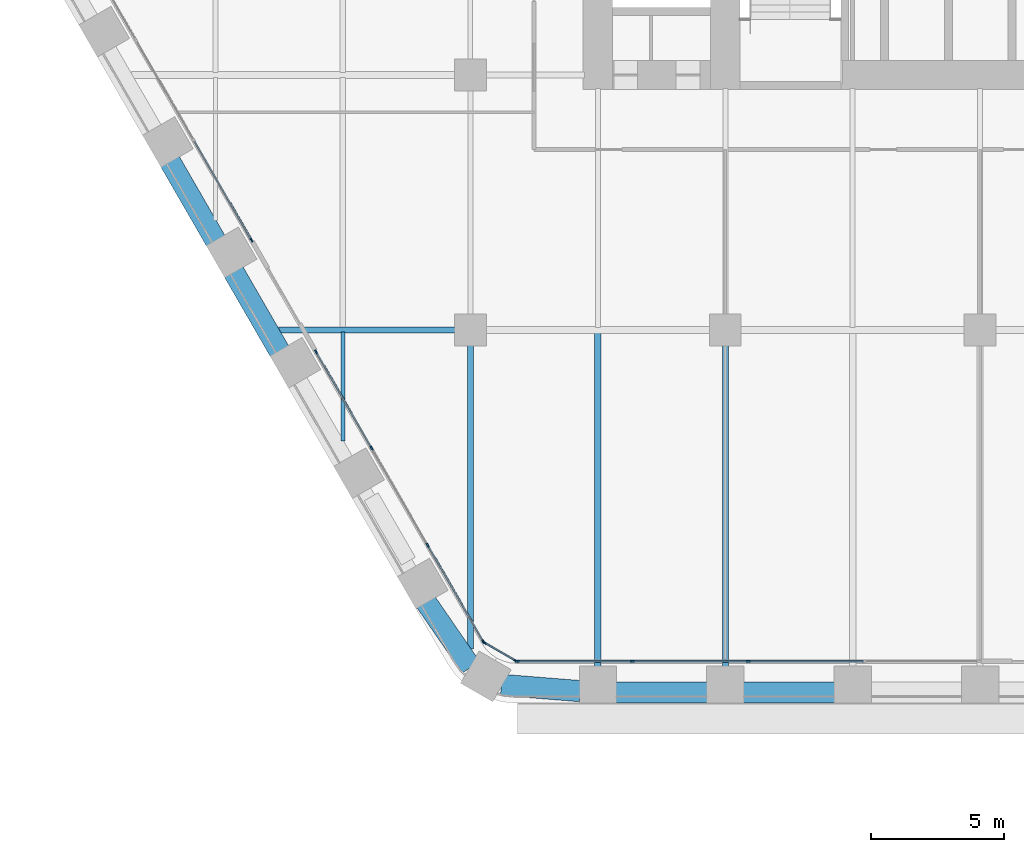
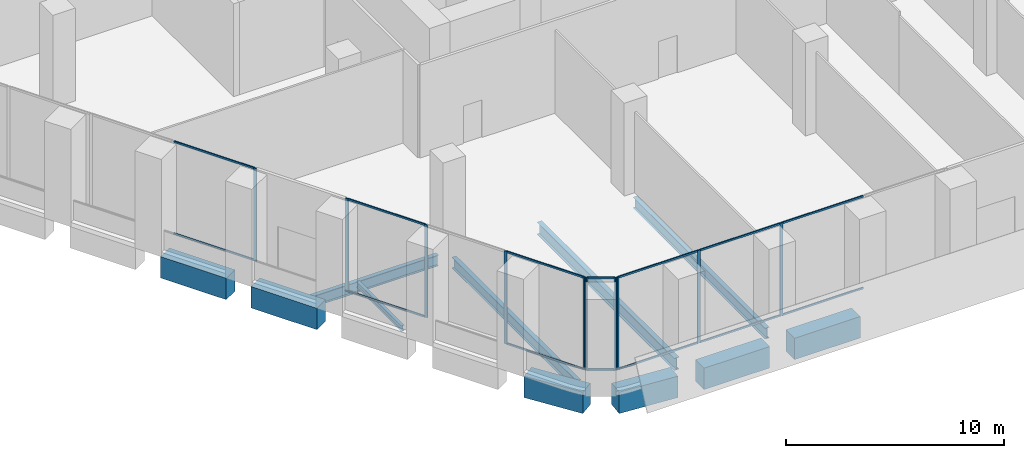
# One storey, part 2 of 32: 24 members, 11 beams, 4 elements without a shape of their own.
"""IFC4 building model written with IfcOpenShell, lengths in metres."""

from ifc_helpers import new_model, si_unit, direction, frame, origin, origin_2d, place, context, subcontext, project, spatial, rectangle, i_section, extrude, material, material_profile, profile_set, type_object, element, aggregate, save


model = new_model("IFC4")

# Units and contexts
model_context = context("Model", 3, precision=1e-05, world=origin(), true_north=direction((0.0, 1.0)))
body_context = subcontext(model_context, "Body", "Model", "MODEL_VIEW")
ifc_project = project(units=[si_unit("LENGTHUNIT", "METRE"), si_unit("AREAUNIT", "SQUARE_METRE"), si_unit("VOLUMEUNIT", "CUBIC_METRE"), si_unit("PLANEANGLEUNIT", "RADIAN"), si_unit("MASSUNIT", "GRAM", prefix="KILO")], contexts=[model_context])

# Site, building, storey
site_placement = place(None, origin())
site = spatial("IfcSite", under=ifc_project, at=site_placement, CompositionType="ELEMENT")
building_placement = place(site_placement, origin())
building = spatial("IfcBuilding", under=site, at=building_placement, Name="Kolab Exchange Tower", CompositionType="ELEMENT")
storey_placement = place(building_placement, frame((0.0, 0.0, 60.89990234375)))
storey = spatial("IfcBuildingStorey", under=building, at=storey_placement, Name="L11", CompositionType="ELEMENT", Elevation=60.89990234375)

# Beams
ifc_material_1 = material(Name="Steel S355", Category="steel")
ifc_material_profile_1 = material_profile(ifc_material_1, i_section(OverallWidth=0.1650390625, OverallDepth=0.31005859375, WebThickness=0.005859375, FlangeThickness=0.009765625, at=origin_2d()), Name="W310X39")
ifc_profile_set_1 = profile_set([ifc_material_profile_1], Name="Steel S355")
beam_type_1 = type_object("IfcBeamType", Name="FLOOR BEAM W310X39", PredefinedType="BEAM", material=ifc_profile_set_1)
beam_1_placement = place(storey_placement, frame((-24.0, -23.381591796875, -0.40478515625), z_axis=(0.0, 1.0, 0.0), x_axis=(-1.0, 0.0, 0.0)))
element("IfcBeam", 1, at=beam_1_placement, inside=storey, type_object=beam_type_1, Name="beam/L11/fr/006", PredefinedType="BEAM", context=body_context, shape_type="SweptSolid", body=[
    extrude(i_section(OverallWidth=0.1650390625, OverallDepth=0.31005859375, WebThickness=0.005859375, FlangeThickness=0.009765625, at=origin_2d()), origin(), (0.0, 0.0, 1.0), 4.107666015625),
])
ifc_material_profile_2 = material_profile(ifc_material_1, i_section(OverallWidth=0.22802734375, OverallDepth=0.60791015625, WebThickness=0.01123046875, FlangeThickness=0.017333984375, at=origin_2d()), Name="W610X113")
ifc_profile_set_2 = profile_set([ifc_material_profile_2], Name="Steel S355")
beam_type_2 = type_object("IfcBeamType", Name="FLOOR BEAM W610X113", PredefinedType="BEAM", material=ifc_profile_set_2)
beam_2_placement = place(storey_placement, frame((-19.199951171875, -31.214599609375, -0.553955078125), z_axis=(0.0, 1.0, 0.0), x_axis=(-1.0, 0.0, 0.0)))
element("IfcBeam", 2, at=beam_2_placement, inside=storey, type_object=beam_type_2, Name="beam/L11/fr/012", PredefinedType="BEAM", context=body_context, shape_type="SweptSolid", body=[
    extrude(i_section(OverallWidth=0.22802734375, OverallDepth=0.60791015625, WebThickness=0.01123046875, FlangeThickness=0.017333984375, at=origin_2d()), origin(), (0.0, 0.0, 1.0), 11.45458984375),
])
beam_3_placement = place(storey_placement, frame((-9.60009765625, -31.8955078125, -0.553955078125), z_axis=(0.0, 1.0, 0.0), x_axis=(-1.0, 0.0, 0.0)))
element("IfcBeam", 3, at=beam_3_placement, inside=storey, type_object=beam_type_2, Name="beam/L11/fr/022", PredefinedType="BEAM", context=body_context, shape_type="SweptSolid", body=[
    extrude(i_section(OverallWidth=0.22802734375, OverallDepth=0.60791015625, WebThickness=0.01123046875, FlangeThickness=0.017333984375, at=origin_2d()), origin(), (0.0, 0.0, 1.0), 12.135498046875),
])
ifc_material_profile_3 = material_profile(ifc_material_1, i_section(OverallWidth=0.25390625, OverallDepth=0.68408203125, WebThickness=0.012451171875, FlangeThickness=0.018798828125, at=origin_2d()), Name="W690X140")
ifc_profile_set_3 = profile_set([ifc_material_profile_3], Name="Steel S355")
beam_type_3 = type_object("IfcBeamType", Name="FLOOR BEAM W690X140", PredefinedType="BEAM", material=ifc_profile_set_3)
beam_4_placement = place(storey_placement, frame((-14.39990234375, -31.8955078125, -0.591796875), z_axis=(0.0, 1.0, 0.0), x_axis=(-1.0, 0.0, 0.0)))
element("IfcBeam", 4, at=beam_4_placement, inside=storey, type_object=beam_type_3, Name="beam/L11/fr/018", PredefinedType="BEAM", context=body_context, shape_type="SweptSolid", body=[
    extrude(i_section(OverallWidth=0.25390625, OverallDepth=0.68408203125, WebThickness=0.012451171875, FlangeThickness=0.018798828125, at=origin_2d()), origin(), (0.0, 0.0, 1.0), 12.6083984375),
])
ifc_material_profile_4 = material_profile(ifc_material_1, i_section(OverallWidth=0.22802734375, OverallDepth=0.60791015625, WebThickness=0.01123046875, FlangeThickness=0.017333984375, at=origin_2d()), Name="W610X113")
ifc_profile_set_4 = profile_set([ifc_material_profile_4], Name="Steel S355")
beam_type_4 = type_object("IfcBeamType", Name="FLOOR GIRDER W610X113", PredefinedType="BEAM", material=ifc_profile_set_4)
beam_5_placement = place(storey_placement, frame((-26.43115234375, -19.199951171875, -0.553955078125), z_axis=(1.0, 0.0, 0.0), x_axis=(0.0, 1.0, 0.0)))
element("IfcBeam", 5, at=beam_5_placement, inside=storey, type_object=beam_type_4, Name="beam/L11/gd/004", PredefinedType="BEAM", context=body_context, shape_type="SweptSolid", body=[
    extrude(i_section(OverallWidth=0.22802734375, OverallDepth=0.60791015625, WebThickness=0.01123046875, FlangeThickness=0.017333984375, at=origin_2d()), origin(), (0.0, 0.0, 1.0), 6.671142578125),
])
ifc_material_2 = material(Name="Concrete C80/95", Category="concrete")
ifc_material_profile_5 = material_profile(ifc_material_2, rectangle(XDim=0.800048828125, YDim=1.199951171875, at=origin_2d()), Name="RC800X1200")
ifc_profile_set_5 = profile_set([ifc_material_profile_5], Name="Concrete C80/95")
beam_type_5 = type_object("IfcBeamType", Name="SPANDREL BEAM 800X1200 C80/95", PredefinedType="BEAM", material=ifc_profile_set_5)
for number, where, z_axis, x_axis, name in (
    (6, (-5.4599609375, -32.85546875, -0.849853515625), (-1.0, 0.0, 0.0), (0.0, -1.0, 0.0), "beam/L11/sp/F4-06"),
    (7, (-10.260009765625, -32.85546875, -0.849853515625), (-1.0, 0.0, 0.0), (0.0, -1.0, 0.0), "beam/L11/sp/F4-07"),
):
    element("IfcBeam", number, at=place(storey_placement, frame(where, z_axis=z_axis, x_axis=x_axis)), inside=storey, type_object=beam_type_5, Name=name, PredefinedType="BEAM", context=body_context, shape_type="SweptSolid", body=[
        extrude(rectangle(XDim=0.800048828125, YDim=1.199951171875, at=origin_2d()), origin(), (0.0, 0.0, 1.0), 3.47998046875),
    ])
beam_6_placement = place(storey_placement, frame((-15.06005859375, -32.802734375, -0.849853515625), z_axis=(-0.996833978278, 0.07951112973, 0.0), x_axis=(-0.07951112973, -0.996833978278, 0.0)))
element("IfcBeam", 8, at=beam_6_placement, inside=storey, type_object=beam_type_5, Name="beam/L11/sp/F4-08", PredefinedType="BEAM", context=body_context, shape_type="SweptSolid", body=[
    extrude(rectangle(XDim=0.800048828125, YDim=1.199951171875, at=origin_2d()), origin(), (0.0, 0.0, 1.0), 2.984619140625),
])
beam_7_placement = place(storey_placement, frame((-19.18505859375, -31.901611328125, -0.849853515625), z_axis=(-0.567247290755, 0.823547516013, 0.0), x_axis=(-0.823547516013, -0.567247290755, 0.0)))
element("IfcBeam", 9, at=beam_7_placement, inside=storey, type_object=beam_type_5, Name="beam/L11/sp/F5-01", PredefinedType="BEAM", context=body_context, shape_type="SweptSolid", body=[
    extrude(rectangle(XDim=0.800048828125, YDim=1.199951171875, at=origin_2d()), origin(), (0.0, 0.0, 1.0), 2.984375),
])
beam_8_placement = place(storey_placement, frame((-26.383544921875, -20.012939453125, -0.849853515625), z_axis=(-0.500009906705, 0.86601968407, 0.0), x_axis=(-0.86601968407, -0.500009906705, 0.0)))
element("IfcBeam", 10, at=beam_8_placement, inside=storey, type_object=beam_type_5, Name="beam/L11/sp/F5-04", PredefinedType="BEAM", context=body_context, shape_type="SweptSolid", body=[
    extrude(rectangle(XDim=0.800048828125, YDim=1.199951171875, at=origin_2d()), origin(), (0.0, 0.0, 1.0), 3.47998046875),
])
beam_9_placement = place(storey_placement, frame((-28.78369140625, -15.856201171875, -0.849853515625), z_axis=(-0.499979528911, 0.866037222451, 0.0), x_axis=(-0.866037222451, -0.499979528911, 0.0)))
element("IfcBeam", 11, at=beam_9_placement, inside=storey, type_object=beam_type_5, Name="beam/L11/sp/F5-05", PredefinedType="BEAM", context=body_context, shape_type="SweptSolid", body=[
    extrude(rectangle(XDim=0.800048828125, YDim=1.199951171875, at=origin_2d()), origin(), (0.0, 0.0, 1.0), 3.480224609375),
])

# Curtain wall, members
ifc_material_3 = material(Name="Aluminium EN AW-6063 T6", Category="aluminium")
curtain_wall_type = type_object("IfcCurtainWallType", Name="UNITISED LOW ZONE CURTAIN WALL", PredefinedType="NOTDEFINED", material=ifc_material_3)
curtain_wall_1_placement = place(storey_placement, origin())
curtain_wall_1 = element("IfcCurtainWall", 12, at=curtain_wall_1_placement, inside=storey, type_object=curtain_wall_type, Name="cw/L11/F4-2", PredefinedType="NOTDEFINED")
ifc_material_profile_6 = material_profile(ifc_material_3, rectangle(XDim=0.06005859375, YDim=0.159912109375, at=origin_2d()), Name="RECT 60X160")
ifc_profile_set_6 = profile_set([ifc_material_profile_6], Name="Aluminium EN AW-6063 T6")
member_type_1 = type_object("IfcMemberType", Name="UNITISED LOW ZONE MULLION 60 X 160", PredefinedType="MULLION", material=ifc_profile_set_6)
member_1_placement = place(storey_placement, frame((-8.73388671875, -31.67529296875, 0.0), z_axis=(0.0, 0.0, 1.0), x_axis=(0.0, -1.0, 0.0)))
member_1 = element("IfcMember", 13, at=member_1_placement, type_object=member_type_1, Name="CW1 mullion 3", PredefinedType="MULLION", context=body_context, shape_type="SweptSolid", body=[
    extrude(rectangle(XDim=0.06005859375, YDim=0.159912109375, at=origin_2d()), origin(), (0.0, 0.0, 1.0), 5.2001953125),
])
member_2_placement = place(storey_placement, frame((-13.10107421875, -31.67529296875, 0.0), z_axis=(0.0, 0.0, 1.0), x_axis=(0.0, -1.0, 0.0)))
member_2 = element("IfcMember", 14, at=member_2_placement, type_object=member_type_1, Name="CW1 mullion 4", PredefinedType="MULLION", context=body_context, shape_type="SweptSolid", body=[
    extrude(rectangle(XDim=0.06005859375, YDim=0.159912109375, at=origin_2d()), origin(), (0.0, 0.0, 1.0), 5.2001953125),
])
member_3_placement = place(storey_placement, frame((-17.43798828125, -31.67529296875, 0.0), z_axis=(0.0, 0.0, 1.0), x_axis=(0.0, -1.0, 0.0)))
member_3 = element("IfcMember", 15, at=member_3_placement, type_object=member_type_1, Name="CW1 mullion 5", PredefinedType="MULLION", context=body_context, shape_type="SweptSolid", body=[
    extrude(rectangle(XDim=0.06005859375, YDim=0.159912109375, at=origin_2d()), origin(), (0.0, 0.0, 1.0), 5.2001953125),
])

curtain_wall_2_placement = place(storey_placement, origin())
curtain_wall_2 = element("IfcCurtainWall", 16, at=curtain_wall_2_placement, inside=storey, type_object=curtain_wall_type, Name="cw/L11/F5-1", PredefinedType="NOTDEFINED")
member_4_placement = place(storey_placement, frame((-18.712646484375, -30.939453125, 0.0), z_axis=(0.0, 0.0, 1.0), x_axis=(-0.866025393644, -0.500000017564, 0.0)))
member_4 = element("IfcMember", 17, at=member_4_placement, type_object=member_type_1, Name="CW1 mullion 1", PredefinedType="MULLION", context=body_context, shape_type="SweptSolid", body=[
    extrude(rectangle(XDim=0.06005859375, YDim=0.159912109375, at=origin_2d()), origin(), (0.0, 0.0, 1.0), 5.2001953125),
])
member_5_placement = place(storey_placement, frame((-20.80908203125, -27.308349609375, 0.0), z_axis=(0.0, 0.0, 1.0), x_axis=(-0.866025393644, -0.500000017564, 0.0)))
member_5 = element("IfcMember", 18, at=member_5_placement, type_object=member_type_1, Name="CW1 mullion 2", PredefinedType="MULLION", context=body_context, shape_type="SweptSolid", body=[
    extrude(rectangle(XDim=0.06005859375, YDim=0.159912109375, at=origin_2d()), origin(), (0.0, 0.0, 1.0), 5.2001953125),
])
member_6_placement = place(storey_placement, frame((-22.92041015625, -23.651611328125, 0.0), z_axis=(0.0, 0.0, 1.0), x_axis=(-0.866025393644, -0.500000017564, 0.0)))
member_6 = element("IfcMember", 19, at=member_6_placement, type_object=member_type_1, Name="CW1 mullion 3", PredefinedType="MULLION", context=body_context, shape_type="SweptSolid", body=[
    extrude(rectangle(XDim=0.06005859375, YDim=0.159912109375, at=origin_2d()), origin(), (0.0, 0.0, 1.0), 5.2001953125),
])
member_7_placement = place(storey_placement, frame((-25.0166015625, -20.0205078125, 0.0), z_axis=(0.0, 0.0, 1.0), x_axis=(-0.866025393644, -0.500000017564, 0.0)))
member_7 = element("IfcMember", 20, at=member_7_placement, type_object=member_type_1, Name="CW1 mullion 4", PredefinedType="MULLION", context=body_context, shape_type="SweptSolid", body=[
    extrude(rectangle(XDim=0.06005859375, YDim=0.159912109375, at=origin_2d()), origin(), (0.0, 0.0, 1.0), 5.2001953125),
])

# Curtain wall, member
curtain_wall_3_placement = place(storey_placement, origin())
curtain_wall_3 = element("IfcCurtainWall", 21, at=curtain_wall_3_placement, inside=storey, type_object=curtain_wall_type, Name="cw/L11/F5-2", PredefinedType="NOTDEFINED")
member_8_placement = place(storey_placement, frame((-27.44677734375, -15.811767578125, 0.0), z_axis=(0.0, 0.0, 1.0), x_axis=(-0.866025422102, -0.499999968274, 0.0)))
member_8 = element("IfcMember", 22, at=member_8_placement, type_object=member_type_1, Name="CW1 mullion 1", PredefinedType="MULLION", context=body_context, shape_type="SweptSolid", body=[
    extrude(rectangle(XDim=0.06005859375, YDim=0.159912109375, at=origin_2d()), origin(), (0.0, 0.0, 1.0), 5.2001953125),
])

# Curtain wall, members
curtain_wall_4_placement = place(storey_placement, origin())
curtain_wall_4 = element("IfcCurtainWall", 23, at=curtain_wall_4_placement, inside=storey, type_object=curtain_wall_type, Name="cw/L11/F4F5-corner", PredefinedType="NOTDEFINED")
member_9_placement = place(storey_placement, frame((-17.493896484375, -31.660400390625, 0.0), z_axis=(0.0, 0.0, 1.0), x_axis=(-0.50000002237, -0.866025390869, 0.0)))
member_9 = element("IfcMember", 24, at=member_9_placement, type_object=member_type_1, Name="CW1 mullion 1", PredefinedType="MULLION", context=body_context, shape_type="SweptSolid", body=[
    extrude(rectangle(XDim=0.06005859375, YDim=0.159912109375, at=origin_2d()), origin(), (0.0, 0.0, 1.0), 5.2001953125),
])
member_10_placement = place(storey_placement, frame((-18.671630859375, -30.98046875, 0.0), z_axis=(0.0, 0.0, 1.0), x_axis=(-0.50000002237, -0.866025390869, 0.0)))
member_10 = element("IfcMember", 25, at=member_10_placement, type_object=member_type_1, Name="CW1 mullion 2", PredefinedType="MULLION", context=body_context, shape_type="SweptSolid", body=[
    extrude(rectangle(XDim=0.06005859375, YDim=0.159912109375, at=origin_2d()), origin(), (0.0, 0.0, 1.0), 5.2001953125),
])

# Member
ifc_material_profile_7 = material_profile(ifc_material_3, rectangle(XDim=0.06005859375, YDim=0.10009765625, at=origin_2d()), Name="RECT 60X100")
ifc_profile_set_7 = profile_set([ifc_material_profile_7], Name="Aluminium EN AW-6063 T6")
member_type_2 = type_object("IfcMemberType", Name="UNITISED LOW ZONE TRANSOM 60 X 100", PredefinedType="USERDEFINED", material=ifc_profile_set_7)
member_11_placement = place(storey_placement, frame((-4.39697265625, -31.67529296875, 0.030029296875), z_axis=(-1.0, 0.0, 0.0), x_axis=(0.0, -1.0, 0.0)))
member_11 = element("IfcMember", 26, at=member_11_placement, type_object=member_type_2, Name="CW1 transom 2.1", ObjectType="TRANSOM", PredefinedType="USERDEFINED", context=body_context, shape_type="SweptSolid", body=[
    extrude(rectangle(XDim=0.06005859375, YDim=0.10009765625, at=origin_2d()), origin(), (0.0, 0.0, 1.0), 4.306884765625),
])

member_12_placement = place(storey_placement, frame((-4.39697265625, -31.67529296875, 5.170166015625), z_axis=(-1.0, 0.0, 0.0), x_axis=(0.0, -1.0, 0.0)))
member_12 = element("IfcMember", 27, at=member_12_placement, type_object=member_type_2, Name="CW1 transom 2.2", ObjectType="TRANSOM", PredefinedType="USERDEFINED", context=body_context, shape_type="SweptSolid", body=[
    extrude(rectangle(XDim=0.06005859375, YDim=0.10009765625, at=origin_2d()), origin(), (0.0, 0.0, 1.0), 4.306884765625),
])

member_13_placement = place(storey_placement, frame((-8.763916015625, -31.67529296875, 0.030029296875), z_axis=(-1.0, 0.0, 0.0), x_axis=(0.0, -1.0, 0.0)))
member_13 = element("IfcMember", 28, at=member_13_placement, type_object=member_type_2, Name="CW1 transom 3.1", ObjectType="TRANSOM", PredefinedType="USERDEFINED", context=body_context, shape_type="SweptSolid", body=[
    extrude(rectangle(XDim=0.06005859375, YDim=0.10009765625, at=origin_2d()), origin(), (0.0, 0.0, 1.0), 4.30712890625),
])

member_14_placement = place(storey_placement, frame((-8.763916015625, -31.67529296875, 5.170166015625), z_axis=(-1.0, 0.0, 0.0), x_axis=(0.0, -1.0, 0.0)))
member_14 = element("IfcMember", 29, at=member_14_placement, type_object=member_type_2, Name="CW1 transom 3.2", ObjectType="TRANSOM", PredefinedType="USERDEFINED", context=body_context, shape_type="SweptSolid", body=[
    extrude(rectangle(XDim=0.06005859375, YDim=0.10009765625, at=origin_2d()), origin(), (0.0, 0.0, 1.0), 4.30712890625),
])

member_15_placement = place(storey_placement, frame((-13.130859375, -31.67529296875, 0.030029296875), z_axis=(-1.0, 0.0, 0.0), x_axis=(0.0, -1.0, 0.0)))
member_15 = element("IfcMember", 30, at=member_15_placement, type_object=member_type_2, Name="CW1 transom 4.1", ObjectType="TRANSOM", PredefinedType="USERDEFINED", context=body_context, shape_type="SweptSolid", body=[
    extrude(rectangle(XDim=0.06005859375, YDim=0.10009765625, at=origin_2d()), origin(), (0.0, 0.0, 1.0), 4.277099609375),
])

member_16_placement = place(storey_placement, frame((-13.130859375, -31.67529296875, 5.170166015625), z_axis=(-1.0, 0.0, 0.0), x_axis=(0.0, -1.0, 0.0)))
member_16 = element("IfcMember", 31, at=member_16_placement, type_object=member_type_2, Name="CW1 transom 4.2", ObjectType="TRANSOM", PredefinedType="USERDEFINED", context=body_context, shape_type="SweptSolid", body=[
    extrude(rectangle(XDim=0.06005859375, YDim=0.10009765625, at=origin_2d()), origin(), (0.0, 0.0, 1.0), 4.277099609375),
])

aggregate(curtain_wall_1, [member_1, member_2, member_3, member_11, member_12, member_13, member_14, member_15, member_16])

member_17_placement = place(storey_placement, frame((-18.727783203125, -30.913330078125, 0.030029296875), z_axis=(-0.499983268986, 0.866035063224, 0.0), x_axis=(-0.866035063224, -0.499983268986, 0.0)))
member_17 = element("IfcMember", 32, at=member_17_placement, type_object=member_type_2, Name="CW1 transom 1.1", ObjectType="TRANSOM", PredefinedType="USERDEFINED", context=body_context, shape_type="SweptSolid", body=[
    extrude(rectangle(XDim=0.06005859375, YDim=0.10009765625, at=origin_2d()), origin(), (0.0, 0.0, 1.0), 4.132568359375),
])

member_18_placement = place(storey_placement, frame((-18.727783203125, -30.913330078125, 5.170166015625), z_axis=(-0.499983268986, 0.866035063224, 0.0), x_axis=(-0.866035063224, -0.499983268986, 0.0)))
member_18 = element("IfcMember", 33, at=member_18_placement, type_object=member_type_2, Name="CW1 transom 1.2", ObjectType="TRANSOM", PredefinedType="USERDEFINED", context=body_context, shape_type="SweptSolid", body=[
    extrude(rectangle(XDim=0.06005859375, YDim=0.10009765625, at=origin_2d()), origin(), (0.0, 0.0, 1.0), 4.132568359375),
])

member_19_placement = place(storey_placement, frame((-22.935302734375, -23.62548828125, 0.030029296875), z_axis=(-0.500027577057, 0.866009481578, 0.0), x_axis=(-0.866009481578, -0.500027577057, 0.0)))
member_19 = element("IfcMember", 34, at=member_19_placement, type_object=member_type_2, Name="CW1 transom 3.1", ObjectType="TRANSOM", PredefinedType="USERDEFINED", context=body_context, shape_type="SweptSolid", body=[
    extrude(rectangle(XDim=0.06005859375, YDim=0.10009765625, at=origin_2d()), origin(), (0.0, 0.0, 1.0), 4.132568359375),
])

member_20_placement = place(storey_placement, frame((-22.935302734375, -23.62548828125, 5.170166015625), z_axis=(-0.500027577057, 0.866009481578, 0.0), x_axis=(-0.866009481578, -0.500027577057, 0.0)))
member_20 = element("IfcMember", 35, at=member_20_placement, type_object=member_type_2, Name="CW1 transom 3.2", ObjectType="TRANSOM", PredefinedType="USERDEFINED", context=body_context, shape_type="SweptSolid", body=[
    extrude(rectangle(XDim=0.06005859375, YDim=0.10009765625, at=origin_2d()), origin(), (0.0, 0.0, 1.0), 4.132568359375),
])

aggregate(curtain_wall_2, [member_4, member_5, member_6, member_7, member_17, member_18, member_19, member_20])

member_21_placement = place(storey_placement, frame((-27.461669921875, -15.78564453125, 0.030029296875), z_axis=(-0.500000816281, 0.866024932504, 0.0), x_axis=(-0.866024932504, -0.500000816281, 0.0)))
member_21 = element("IfcMember", 36, at=member_21_placement, type_object=member_type_2, Name="CW1 transom 1.1", ObjectType="TRANSOM", PredefinedType="USERDEFINED", context=body_context, shape_type="SweptSolid", body=[
    extrude(rectangle(XDim=0.06005859375, YDim=0.10009765625, at=origin_2d()), origin(), (0.0, 0.0, 1.0), 4.27685546875),
])

member_22_placement = place(storey_placement, frame((-27.461669921875, -15.78564453125, 5.170166015625), z_axis=(-0.500000816281, 0.866024932504, 0.0), x_axis=(-0.866024932504, -0.500000816281, 0.0)))
member_22 = element("IfcMember", 37, at=member_22_placement, type_object=member_type_2, Name="CW1 transom 1.2", ObjectType="TRANSOM", PredefinedType="USERDEFINED", context=body_context, shape_type="SweptSolid", body=[
    extrude(rectangle(XDim=0.06005859375, YDim=0.10009765625, at=origin_2d()), origin(), (0.0, 0.0, 1.0), 4.27685546875),
])

aggregate(curtain_wall_3, [member_8, member_21, member_22])

member_23_placement = place(storey_placement, frame((-17.52001953125, -31.645263671875, 0.030029296875), z_axis=(-0.86603858612, 0.49997716683, 0.0), x_axis=(-0.49997716683, -0.86603858612, 0.0)))
member_23 = element("IfcMember", 38, at=member_23_placement, type_object=member_type_2, Name="CW1 transom 1.1", ObjectType="TRANSOM", PredefinedType="USERDEFINED", context=body_context, shape_type="SweptSolid", body=[
    extrude(rectangle(XDim=0.06005859375, YDim=0.10009765625, at=origin_2d()), origin(), (0.0, 0.0, 1.0), 1.2998046875),
])

member_24_placement = place(storey_placement, frame((-17.52001953125, -31.645263671875, 5.170166015625), z_axis=(-0.86603858612, 0.49997716683, 0.0), x_axis=(-0.49997716683, -0.86603858612, 0.0)))
member_24 = element("IfcMember", 39, at=member_24_placement, type_object=member_type_2, Name="CW1 transom 1.2", ObjectType="TRANSOM", PredefinedType="USERDEFINED", context=body_context, shape_type="SweptSolid", body=[
    extrude(rectangle(XDim=0.06005859375, YDim=0.10009765625, at=origin_2d()), origin(), (0.0, 0.0, 1.0), 1.2998046875),
])

aggregate(curtain_wall_4, [member_9, member_10, member_23, member_24])

save(model, "model.ifc")
